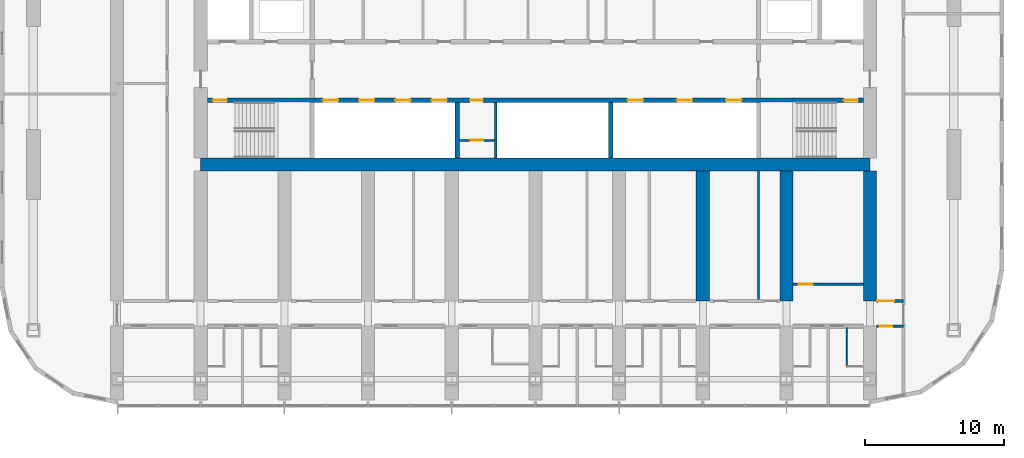
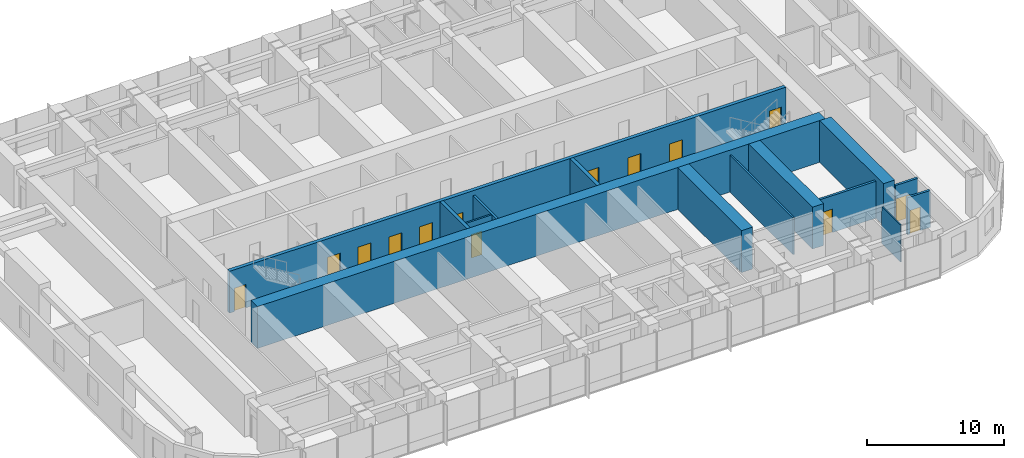
# One storey, part 11 of 21: 14 doors, 14 walls, 14 openings.
"""IFC4 building model written with IfcOpenShell, lengths in metres."""

from ifc_helpers import new_model, si_unit, direction, frame, frame_2d, origin, place, context, subcontext, project, spatial, polyline, rectangle, outline, extrude, material, layer, layer_set, type_object, element, fill, save


model = new_model("IFC4")

# Units and contexts
model_context = context("Model", 3, precision=1e-05, world=origin(), true_north=direction((0.0, 1.0)))
body_context = subcontext(model_context, "Body", "Model", "MODEL_VIEW")
ifc_project = project(units=[si_unit("LENGTHUNIT", "METRE"), si_unit("AREAUNIT", "SQUARE_METRE"), si_unit("VOLUMEUNIT", "CUBIC_METRE"), si_unit("PLANEANGLEUNIT", "RADIAN"), si_unit("MASSUNIT", "GRAM", prefix="KILO")], contexts=[model_context])

# Site, building, storey
site_placement = place(None, origin())
site = spatial("IfcSite", under=ifc_project, at=site_placement, CompositionType="ELEMENT")
building_placement = place(site_placement, origin())
building = spatial("IfcBuilding", under=site, at=building_placement, Name="Orbita Commons", CompositionType="ELEMENT")
storey_placement = place(building_placement, frame((0.0, 0.0, 110.64990234375)))
storey = spatial("IfcBuildingStorey", under=building, at=storey_placement, Name="L27", CompositionType="ELEMENT", Elevation=110.64990234375)

# Wall, openings, doors
ifc_material_1 = material(Name="Concrete C50/60", Category="concrete")
ifc_layer_1 = layer(ifc_material_1, 0.300048828125)
ifc_layer_set_1 = layer_set([ifc_layer_1], Name="Concrete C50/60")
wall_type_1 = type_object("IfcWallType", Name="Core inner wall 300 C50/60", PredefinedType="SHEAR", material=ifc_layer_set_1)
wall_1_placement = place(storey_placement, frame((18.47509765625, 30.39990234375, 0.0), z_axis=(0.0, 0.0, 1.0), x_axis=(1.0, 0.0, 0.0)))
wall_1 = element("IfcWall", 1, at=wall_1_placement, inside=storey, type_object=wall_type_1, Name="Lobby wall south L27", PredefinedType="SHEAR", context=body_context, shape_type="SweptSolid", body=[
    extrude(rectangle(XDim=47.0498046875, YDim=0.300048828125, at=frame_2d((23.52490234375, 0.0))), origin(), (0.0, 0.0, 1.0), 3.75),
])
opening_1_placement = place(wall_1_placement, frame((0.39990234375, 0.0, 0.0)))
opening_1 = element("IfcOpeningElement", 2, at=opening_1_placement, cuts=wall_1, Name="Opening D02", PredefinedType="OPENING", context=body_context, shape_type="SweptSolid", body=[
    extrude(rectangle(XDim=1.0, YDim=2.10009765625, at=frame_2d((0.5, 1.050048828125))), frame((0.0, 0.159912109375, 0.0), z_axis=(0.0, -1.0, 0.0), x_axis=(1.0, 0.0, 0.0)), (0.0, 0.0, 1.0), 0.320068359375),
])
opening_2_placement = place(wall_1_placement, frame((45.64990234375, 0.0, 0.0)))
opening_2 = element("IfcOpeningElement", 3, at=opening_2_placement, cuts=wall_1, Name="Opening D02", PredefinedType="OPENING", context=body_context, shape_type="SweptSolid", body=[
    extrude(rectangle(XDim=1.0, YDim=2.10009765625, at=frame_2d((0.5, 1.050048828125))), frame((0.0, 0.159912109375, 0.0), z_axis=(0.0, -1.0, 0.0), x_axis=(1.0, 0.0, 0.0)), (0.0, 0.0, 1.0), 0.320068359375),
])
opening_3_placement = place(wall_1_placement, frame((8.27490234375, 0.0, 0.0)))
opening_3 = element("IfcOpeningElement", 4, at=opening_3_placement, cuts=wall_1, Name="Opening LD02", PredefinedType="OPENING", context=body_context, shape_type="SweptSolid", body=[
    extrude(rectangle(XDim=1.10009765625, YDim=2.10009765625, at=frame_2d((0.550048828125, 1.050048828125))), frame((0.0, 0.159912109375, 0.0), z_axis=(0.0, -1.0, 0.0), x_axis=(1.0, 0.0, 0.0)), (0.0, 0.0, 1.0), 0.320068359375),
])
opening_4_placement = place(wall_1_placement, frame((10.875, 0.0, 0.0)))
opening_4 = element("IfcOpeningElement", 5, at=opening_4_placement, cuts=wall_1, Name="Opening LD02", PredefinedType="OPENING", context=body_context, shape_type="SweptSolid", body=[
    extrude(rectangle(XDim=1.10009765625, YDim=2.10009765625, at=frame_2d((0.550048828125, 1.050048828125))), frame((0.0, 0.159912109375, 0.0), z_axis=(0.0, -1.0, 0.0), x_axis=(1.0, 0.0, 0.0)), (0.0, 0.0, 1.0), 0.320068359375),
])
opening_5_placement = place(wall_1_placement, frame((13.47509765625, 0.0, 0.0)))
opening_5 = element("IfcOpeningElement", 6, at=opening_5_placement, cuts=wall_1, Name="Opening LD02", PredefinedType="OPENING", context=body_context, shape_type="SweptSolid", body=[
    extrude(rectangle(XDim=1.10009765625, YDim=2.10009765625, at=frame_2d((0.550048828125, 1.050048828125))), frame((0.0, 0.159912109375, 0.0), z_axis=(0.0, -1.0, 0.0), x_axis=(1.0, 0.0, 0.0)), (0.0, 0.0, 1.0), 0.320068359375),
])
opening_6_placement = place(wall_1_placement, frame((16.074951171875, 0.0, 0.0)))
opening_6 = element("IfcOpeningElement", 7, at=opening_6_placement, cuts=wall_1, Name="Opening LD02", PredefinedType="OPENING", context=body_context, shape_type="SweptSolid", body=[
    extrude(rectangle(XDim=1.10009765625, YDim=2.10009765625, at=frame_2d((0.550048828125, 1.050048828125))), frame((0.0, 0.159912109375, 0.0), z_axis=(0.0, -1.0, 0.0), x_axis=(1.0, 0.0, 0.0)), (0.0, 0.0, 1.0), 0.320068359375),
])
opening_7_placement = place(wall_1_placement, frame((18.85009765625, 0.0, 0.0)))
opening_7 = element("IfcOpeningElement", 8, at=opening_7_placement, cuts=wall_1, Name="Opening D05", PredefinedType="OPENING", context=body_context, shape_type="SweptSolid", body=[
    extrude(rectangle(XDim=0.89990234375, YDim=2.10009765625, at=frame_2d((0.449951171875, 1.050048828125))), frame((0.0, 0.159912109375, 0.0), z_axis=(0.0, -1.0, 0.0), x_axis=(1.0, 0.0, 0.0)), (0.0, 0.0, 1.0), 0.320068359375),
])
opening_8_placement = place(wall_1_placement, frame((30.1416015625, 0.0, 0.0)))
opening_8 = element("IfcOpeningElement", 9, at=opening_8_placement, cuts=wall_1, Name="Opening LD02", PredefinedType="OPENING", context=body_context, shape_type="SweptSolid", body=[
    extrude(rectangle(XDim=1.10009765625, YDim=2.10009765625, at=frame_2d((0.550048828125, 1.050048828125))), frame((0.0, 0.159912109375, 0.0), z_axis=(0.0, -1.0, 0.0), x_axis=(1.0, 0.0, 0.0)), (0.0, 0.0, 1.0), 0.320068359375),
])
opening_9_placement = place(wall_1_placement, frame((33.675048828125, 0.0, 0.0)))
opening_9 = element("IfcOpeningElement", 10, at=opening_9_placement, cuts=wall_1, Name="Opening LD02", PredefinedType="OPENING", context=body_context, shape_type="SweptSolid", body=[
    extrude(rectangle(XDim=1.10009765625, YDim=2.10009765625, at=frame_2d((0.550048828125, 1.050048828125))), frame((0.0, 0.159912109375, 0.0), z_axis=(0.0, -1.0, 0.0), x_axis=(1.0, 0.0, 0.0)), (0.0, 0.0, 1.0), 0.320068359375),
])
opening_10_placement = place(wall_1_placement, frame((37.208251953125, 0.0, 0.0)))
opening_10 = element("IfcOpeningElement", 11, at=opening_10_placement, cuts=wall_1, Name="Opening LD02", PredefinedType="OPENING", context=body_context, shape_type="SweptSolid", body=[
    extrude(rectangle(XDim=1.10009765625, YDim=2.10009765625, at=frame_2d((0.550048828125, 1.050048828125))), frame((0.0, 0.159912109375, 0.0), z_axis=(0.0, -1.0, 0.0), x_axis=(1.0, 0.0, 0.0)), (0.0, 0.0, 1.0), 0.320068359375),
])
ifc_material_2 = material(Name="Steel-faced fire door leaf", Category="steel")
door_type_1 = type_object("IfcDoorType", Name="Fire door 90 min 1000x2100", OperationType="SINGLE_SWING_LEFT", PredefinedType="DOOR", material=ifc_material_2)
door_1_placement = place(opening_1_placement, origin())
door_1 = element("IfcDoor", 12, at=door_1_placement, inside=storey, type_object=door_type_1, Name="Stair S1 door", OperationType="SINGLE_SWING_LEFT", OverallHeight=2.10009765625, OverallWidth=1.0, PredefinedType="DOOR", context=body_context, shape_type="SweptSolid", body=[
    extrude(rectangle(XDim=1.0, YDim=2.10009765625, at=frame_2d((0.5, 1.050048828125))), frame((0.0, 0.02490234375, 0.0), z_axis=(0.0, -1.0, 0.0), x_axis=(1.0, 0.0, 0.0)), (0.0, 0.0, 1.0), 0.050048828125),
])
fill(opening_1, door_1)
door_2_placement = place(opening_2_placement, origin())
door_2 = element("IfcDoor", 13, at=door_2_placement, inside=storey, type_object=door_type_1, Name="Stair S2 door", OperationType="SINGLE_SWING_LEFT", OverallHeight=2.10009765625, OverallWidth=1.0, PredefinedType="DOOR", context=body_context, shape_type="SweptSolid", body=[
    extrude(rectangle(XDim=1.0, YDim=2.10009765625, at=frame_2d((0.5, 1.050048828125))), frame((0.0, 0.02490234375, 0.0), z_axis=(0.0, -1.0, 0.0), x_axis=(1.0, 0.0, 0.0)), (0.0, 0.0, 1.0), 0.050048828125),
])
fill(opening_2, door_2)
ifc_material_3 = material(Name="Steel-faced fire door leaf", Category="steel")
door_type_2 = type_object("IfcDoorType", Name="Lift landing door 1100x2100", OperationType="DOUBLE_DOOR_SLIDING", PredefinedType="DOOR", material=ifc_material_3)
door_3_placement = place(opening_3_placement, origin())
door_3 = element("IfcDoor", 14, at=door_3_placement, inside=storey, type_object=door_type_2, Name="Lift P21 landing door", OperationType="DOUBLE_DOOR_SLIDING", OverallHeight=2.10009765625, OverallWidth=1.10009765625, PredefinedType="DOOR", context=body_context, shape_type="SweptSolid", body=[
    extrude(rectangle(XDim=1.10009765625, YDim=2.10009765625, at=frame_2d((0.550048828125, 1.050048828125))), frame((0.0, 0.02490234375, 0.0), z_axis=(0.0, -1.0, 0.0), x_axis=(1.0, 0.0, 0.0)), (0.0, 0.0, 1.0), 0.050048828125),
])
fill(opening_3, door_3)
door_4_placement = place(opening_4_placement, origin())
door_4 = element("IfcDoor", 15, at=door_4_placement, inside=storey, type_object=door_type_2, Name="Lift P22 landing door", OperationType="DOUBLE_DOOR_SLIDING", OverallHeight=2.10009765625, OverallWidth=1.10009765625, PredefinedType="DOOR", context=body_context, shape_type="SweptSolid", body=[
    extrude(rectangle(XDim=1.10009765625, YDim=2.10009765625, at=frame_2d((0.550048828125, 1.050048828125))), frame((0.0, 0.02490234375, 0.0), z_axis=(0.0, -1.0, 0.0), x_axis=(1.0, 0.0, 0.0)), (0.0, 0.0, 1.0), 0.050048828125),
])
fill(opening_4, door_4)
door_5_placement = place(opening_5_placement, origin())
door_5 = element("IfcDoor", 16, at=door_5_placement, inside=storey, type_object=door_type_2, Name="Lift P23 landing door", OperationType="DOUBLE_DOOR_SLIDING", OverallHeight=2.10009765625, OverallWidth=1.10009765625, PredefinedType="DOOR", context=body_context, shape_type="SweptSolid", body=[
    extrude(rectangle(XDim=1.10009765625, YDim=2.10009765625, at=frame_2d((0.550048828125, 1.050048828125))), frame((0.0, 0.02490234375, 0.0), z_axis=(0.0, -1.0, 0.0), x_axis=(1.0, 0.0, 0.0)), (0.0, 0.0, 1.0), 0.050048828125),
])
fill(opening_5, door_5)
door_6_placement = place(opening_6_placement, origin())
door_6 = element("IfcDoor", 17, at=door_6_placement, inside=storey, type_object=door_type_2, Name="Lift P24 landing door", OperationType="DOUBLE_DOOR_SLIDING", OverallHeight=2.10009765625, OverallWidth=1.10009765625, PredefinedType="DOOR", context=body_context, shape_type="SweptSolid", body=[
    extrude(rectangle(XDim=1.10009765625, YDim=2.10009765625, at=frame_2d((0.550048828125, 1.050048828125))), frame((0.0, 0.02490234375, 0.0), z_axis=(0.0, -1.0, 0.0), x_axis=(1.0, 0.0, 0.0)), (0.0, 0.0, 1.0), 0.050048828125),
])
fill(opening_6, door_6)
door_7_placement = place(opening_8_placement, origin())
door_7 = element("IfcDoor", 18, at=door_7_placement, inside=storey, type_object=door_type_2, Name="Lift SV1 landing door", OperationType="DOUBLE_DOOR_SLIDING", OverallHeight=2.10009765625, OverallWidth=1.10009765625, PredefinedType="DOOR", context=body_context, shape_type="SweptSolid", body=[
    extrude(rectangle(XDim=1.10009765625, YDim=2.10009765625, at=frame_2d((0.550048828125, 1.050048828125))), frame((0.0, 0.02490234375, 0.0), z_axis=(0.0, -1.0, 0.0), x_axis=(1.0, 0.0, 0.0)), (0.0, 0.0, 1.0), 0.050048828125),
])
fill(opening_8, door_7)
door_8_placement = place(opening_9_placement, origin())
door_8 = element("IfcDoor", 19, at=door_8_placement, inside=storey, type_object=door_type_2, Name="Lift SV2 landing door", OperationType="DOUBLE_DOOR_SLIDING", OverallHeight=2.10009765625, OverallWidth=1.10009765625, PredefinedType="DOOR", context=body_context, shape_type="SweptSolid", body=[
    extrude(rectangle(XDim=1.10009765625, YDim=2.10009765625, at=frame_2d((0.550048828125, 1.050048828125))), frame((0.0, 0.02490234375, 0.0), z_axis=(0.0, -1.0, 0.0), x_axis=(1.0, 0.0, 0.0)), (0.0, 0.0, 1.0), 0.050048828125),
])
fill(opening_9, door_8)
door_9_placement = place(opening_10_placement, origin())
door_9 = element("IfcDoor", 20, at=door_9_placement, inside=storey, type_object=door_type_2, Name="Lift SV3 landing door", OperationType="DOUBLE_DOOR_SLIDING", OverallHeight=2.10009765625, OverallWidth=1.10009765625, PredefinedType="DOOR", context=body_context, shape_type="SweptSolid", body=[
    extrude(rectangle(XDim=1.10009765625, YDim=2.10009765625, at=frame_2d((0.550048828125, 1.050048828125))), frame((0.0, 0.02490234375, 0.0), z_axis=(0.0, -1.0, 0.0), x_axis=(1.0, 0.0, 0.0)), (0.0, 0.0, 1.0), 0.050048828125),
])
fill(opening_10, door_9)
ifc_material_4 = material(Name="Steel-faced fire door leaf", Category="steel")
door_type_3 = type_object("IfcDoorType", Name="Service door 20 min 900x2100", OperationType="SINGLE_SWING_LEFT", PredefinedType="DOOR", material=ifc_material_4)
door_10_placement = place(opening_7_placement, origin())
door_10 = element("IfcDoor", 21, at=door_10_placement, inside=storey, type_object=door_type_3, Name="Mail room door", OperationType="SINGLE_SWING_LEFT", OverallHeight=2.10009765625, OverallWidth=0.89990234375, PredefinedType="DOOR", context=body_context, shape_type="SweptSolid", body=[
    extrude(rectangle(XDim=0.89990234375, YDim=2.10009765625, at=frame_2d((0.449951171875, 1.050048828125))), frame((0.0, 0.02490234375, 0.0), z_axis=(0.0, -1.0, 0.0), x_axis=(1.0, 0.0, 0.0)), (0.0, 0.0, 1.0), 0.050048828125),
])
fill(opening_7, door_10)

# Walls
for number, where, z_axis, x_axis, name in (
    (22, (36.39990234375, 26.27490234375, 0.0), (0.0, 0.0, 1.0), (0.0, 1.0, 0.0), "Hoistway division wall L27"),
    (23, (47.39990234375, 26.27490234375, 0.0), (0.0, 0.0, 1.0), (0.0, 1.0, 0.0), "Hoistway division wall L27"),
):
    element("IfcWall", number, at=place(storey_placement, frame(where, z_axis=z_axis, x_axis=x_axis)), inside=storey, type_object=wall_type_1, Name=name, PredefinedType="SHEAR", context=body_context, shape_type="SweptSolid", body=[
        extrude(rectangle(XDim=3.97509765625, YDim=0.300048828125, at=frame_2d((1.987548828125, 0.0))), origin(), (0.0, 0.0, 1.0), 3.75),
    ])

# Wall, opening, door
ifc_material_5 = material(Name="Concrete blockwork", Category="masonry")
ifc_layer_2 = layer(ifc_material_5, 0.14990234375)
ifc_layer_set_2 = layer_set([ifc_layer_2], Name="Concrete blockwork")
wall_type_2 = type_object("IfcWallType", Name="Core partition 150 blockwork", PredefinedType="SOLIDWALL", material=ifc_layer_set_2)
wall_2_placement = place(storey_placement, frame((36.550048828125, 27.52490234375, 0.0), z_axis=(0.0, 0.0, 1.0), x_axis=(1.0, 0.0, 0.0)))
wall_2 = element("IfcWall", 24, at=wall_2_placement, inside=storey, type_object=wall_type_2, Name="Core partition 150 blockwork L27", PredefinedType="SOLIDWALL", context=body_context, shape_type="SweptSolid", body=[
    extrude(rectangle(XDim=2.5, YDim=0.14990234375, at=frame_2d((1.25, 0.0))), origin(), (0.0, 0.0, 1.0), 3.300048828125),
])
opening_11_placement = place(wall_2_placement, frame((0.800048828125, 0.0, 0.0)))
opening_11 = element("IfcOpeningElement", 25, at=opening_11_placement, cuts=wall_2, Name="Opening D05", PredefinedType="OPENING", context=body_context, shape_type="SweptSolid", body=[
    extrude(rectangle(XDim=0.89990234375, YDim=2.10009765625, at=frame_2d((0.449951171875, 1.050048828125))), frame((0.0, 0.0849609375, 0.0), z_axis=(0.0, -1.0, 0.0), x_axis=(1.0, 0.0, 0.0)), (0.0, 0.0, 1.0), 0.169921875),
])
door_11_placement = place(opening_11_placement, origin())
door_11 = element("IfcDoor", 26, at=door_11_placement, inside=storey, type_object=door_type_3, Name="Cupboard door off Mail room", OperationType="SINGLE_SWING_LEFT", OverallHeight=2.10009765625, OverallWidth=0.89990234375, PredefinedType="DOOR", context=body_context, shape_type="SweptSolid", body=[
    extrude(rectangle(XDim=0.89990234375, YDim=2.10009765625, at=frame_2d((0.449951171875, 1.050048828125))), frame((0.0, 0.02490234375, 0.0), z_axis=(0.0, -1.0, 0.0), x_axis=(1.0, 0.0, 0.0)), (0.0, 0.0, 1.0), 0.050048828125),
])
fill(opening_11, door_11)

# Wall
ifc_material_6 = material(Name="Concrete C50/60", Category="concrete")
ifc_layer_3 = layer(ifc_material_6, 0.949951171875)
ifc_layer_set_3 = layer_set([ifc_layer_3], Name="Concrete C50/60")
wall_type_3 = type_object("IfcWallType", Name="Core wall 950 C50/60", PredefinedType="SHEAR", material=ifc_layer_set_3)
wall_3_placement = place(storey_placement, frame((18.0, 25.800048828125, 0.0), z_axis=(0.0, 0.0, 1.0), x_axis=(1.0, 0.0, 0.0)))
element("IfcWall", 27, at=wall_3_placement, inside=storey, type_object=wall_type_3, Name="Core spine wall south L27", PredefinedType="SHEAR", context=body_context, shape_type="SweptSolid", body=[
    extrude(rectangle(XDim=48.0, YDim=0.949951171875, at=frame_2d((24.0, 0.0))), origin(), (0.0, 0.0, 1.0), 3.75),
])

# Wall, opening, door
ifc_material_7 = material(Name="Concrete blockwork", Category="masonry")
ifc_layer_4 = layer(ifc_material_7, 0.199951171875)
ifc_layer_set_4 = layer_set([ifc_layer_4], Name="Concrete blockwork")
wall_type_4 = type_object("IfcWallType", Name="Corridor wall 200 blockwork", PredefinedType="SOLIDWALL", material=ifc_layer_set_4)
wall_4_placement = place(storey_placement, frame((66.47509765625, 14.199951171875, 0.0), z_axis=(0.0, 0.0, 1.0), x_axis=(1.0, 0.0, 0.0)))
wall_4 = element("IfcWall", 28, at=wall_4_placement, inside=storey, type_object=wall_type_4, Name="Corridor wall 200 blockwork L27", PredefinedType="SOLIDWALL", context=body_context, shape_type="SweptSolid", body=[
    extrude(rectangle(XDim=1.9248046875, YDim=0.199951171875, at=frame_2d((0.96240234375, 0.0))), origin(), (0.0, 0.0, 1.0), 3.300048828125),
])
opening_12_placement = place(wall_4_placement, frame((0.199951171875, 0.0, 0.0)))
opening_12 = element("IfcOpeningElement", 29, at=opening_12_placement, cuts=wall_4, Name="Opening D05", PredefinedType="OPENING", context=body_context, shape_type="SweptSolid", body=[
    extrude(rectangle(XDim=0.89990234375, YDim=2.10009765625, at=frame_2d((0.449951171875, 1.050048828125))), frame((0.0, 0.10986328125, 0.0), z_axis=(0.0, -1.0, 0.0), x_axis=(1.0, 0.0, 0.0)), (0.0, 0.0, 1.0), 0.219970703125),
])
door_12_placement = place(opening_12_placement, origin())
door_12 = element("IfcDoor", 30, at=door_12_placement, inside=storey, type_object=door_type_3, Name="Linen store L27-KES door", OperationType="SINGLE_SWING_LEFT", OverallHeight=2.10009765625, OverallWidth=0.89990234375, PredefinedType="DOOR", context=body_context, shape_type="SweptSolid", body=[
    extrude(rectangle(XDim=0.89990234375, YDim=2.10009765625, at=frame_2d((0.449951171875, 1.050048828125))), frame((0.0, 0.02490234375, 0.0), z_axis=(0.0, -1.0, 0.0), x_axis=(1.0, 0.0, 0.0)), (0.0, 0.0, 1.0), 0.050048828125),
])
fill(opening_12, door_12)

ifc_material_8 = material(Name="Hollow concrete block 200", Category="concrete")
ifc_layer_5 = layer(ifc_material_8, 0.199951171875)
ifc_layer_set_5 = layer_set([ifc_layer_5], Name="Hollow concrete block 200")
wall_type_5 = type_object("IfcWallType", Name="Corridor wall 200 hollow concrete block", PredefinedType="SOLIDWALL", material=ifc_layer_set_5)
wall_5_placement = place(storey_placement, frame((66.47509765625, 16.0, 0.0), z_axis=(0.0, 0.0, 1.0), x_axis=(1.0, 0.0, 0.0)))
wall_5 = element("IfcWall", 31, at=wall_5_placement, inside=storey, type_object=wall_type_5, Name="Corridor wall 200 hollow concrete block L27", PredefinedType="SOLIDWALL", context=body_context, shape_type="SweptSolid", body=[
    extrude(rectangle(XDim=1.9248046875, YDim=0.199951171875, at=frame_2d((0.96240234375, 0.0))), origin(), (0.0, 0.0, 1.0), 3.300048828125),
])
opening_13_placement = place(wall_5_placement, frame((0.050048828125, 0.0, 0.0)))
opening_13 = element("IfcOpeningElement", 32, at=opening_13_placement, cuts=wall_5, Name="Opening D12", PredefinedType="OPENING", context=body_context, shape_type="SweptSolid", body=[
    extrude(rectangle(XDim=1.199951171875, YDim=2.10009765625, at=frame_2d((0.60009765625, 1.050048828125))), frame((0.0, 0.10986328125, 0.0), z_axis=(0.0, -1.0, 0.0), x_axis=(1.0, 0.0, 0.0)), (0.0, 0.0, 1.0), 0.219970703125),
])
ifc_material_9 = material(Name="Steel-faced fire door leaf", Category="steel")
door_type_4 = type_object("IfcDoorType", Name="Double corridor door 20 min 1200x2100", OperationType="DOUBLE_DOOR_SINGLE_SWING", PredefinedType="DOOR", material=ifc_material_9)
door_13_placement = place(opening_13_placement, origin())
door_13 = element("IfcDoor", 33, at=door_13_placement, inside=storey, type_object=door_type_4, Name="Cross corridor doors", OperationType="DOUBLE_DOOR_SINGLE_SWING", OverallHeight=2.10009765625, OverallWidth=1.199951171875, PredefinedType="DOOR", context=body_context, shape_type="SweptSolid", body=[
    extrude(rectangle(XDim=1.199951171875, YDim=2.10009765625, at=frame_2d((0.60009765625, 1.050048828125))), frame((0.0, 0.02490234375, 0.0), z_axis=(0.0, -1.0, 0.0), x_axis=(1.0, 0.0, 0.0)), (0.0, 0.0, 1.0), 0.050048828125),
])
fill(opening_13, door_13)

wall_6_placement = place(storey_placement, frame((60.47509765625, 17.199951171875, 0.0), z_axis=(0.0, 0.0, 1.0), x_axis=(1.0, 0.0, 0.0)))
wall_6 = element("IfcWall", 34, at=wall_6_placement, inside=storey, type_object=wall_type_5, Name="Corridor wall 200 hollow concrete block L27", PredefinedType="SOLIDWALL", context=body_context, shape_type="SweptSolid", body=[
    extrude(rectangle(XDim=5.0498046875, YDim=0.199951171875, at=frame_2d((2.52490234375, 0.0))), origin(), (0.0, 0.0, 1.0), 3.300048828125),
])
opening_14_placement = place(wall_6_placement, frame((0.39990234375, 0.0, 0.0)))
opening_14 = element("IfcOpeningElement", 35, at=opening_14_placement, cuts=wall_6, Name="Opening D06", PredefinedType="OPENING", context=body_context, shape_type="SweptSolid", body=[
    extrude(rectangle(XDim=1.0, YDim=2.10009765625, at=frame_2d((0.5, 1.050048828125))), frame((0.0, 0.10986328125, 0.0), z_axis=(0.0, -1.0, 0.0), x_axis=(1.0, 0.0, 0.0)), (0.0, 0.0, 1.0), 0.219970703125),
])
ifc_material_10 = material(Name="Steel-faced fire door leaf", Category="steel")
door_type_5 = type_object("IfcDoorType", Name="Corridor door 20 min 1000x2100", OperationType="SINGLE_SWING_LEFT", PredefinedType="DOOR", material=ifc_material_10)
door_14_placement = place(opening_14_placement, origin())
door_14 = element("IfcDoor", 36, at=door_14_placement, inside=storey, type_object=door_type_5, Name="Cleaners store L27-BDS60 door", OperationType="SINGLE_SWING_LEFT", OverallHeight=2.10009765625, OverallWidth=1.0, PredefinedType="DOOR", context=body_context, shape_type="SweptSolid", body=[
    extrude(rectangle(XDim=1.0, YDim=2.10009765625, at=frame_2d((0.5, 1.050048828125))), frame((0.0, 0.02490234375, 0.0), z_axis=(0.0, -1.0, 0.0), x_axis=(1.0, 0.0, 0.0)), (0.0, 0.0, 1.0), 0.050048828125),
])
fill(opening_14, door_14)

# Walls
ifc_material_11 = material(Name="Concrete C50/60", Category="concrete")
ifc_layer_6 = layer(ifc_material_11, 0.949951171875)
ifc_layer_set_6 = layer_set([ifc_layer_6], Name="Concrete C50/60")
wall_type_6 = type_object("IfcWallType", Name="Cross wall 950 C50/60", PredefinedType="SHEAR", material=ifc_layer_set_6)
for number, where, z_axis, x_axis, name in (
    (37, (54.0, 16.0, 0.0), (0.0, 0.0, 1.0), (0.0, 1.0, 0.0), "Cross wall 10 south inner L27"),
    (38, (60.0, 16.0, 0.0), (0.0, 0.0, 1.0), (0.0, 1.0, 0.0), "Cross wall 11 south inner L27"),
    (39, (66.0, 16.0, 0.0), (0.0, 0.0, 1.0), (0.0, 1.0, 0.0), "Cross wall 12 south inner L27"),
):
    element("IfcWall", number, at=place(storey_placement, frame(where, z_axis=z_axis, x_axis=x_axis)), inside=storey, type_object=wall_type_6, Name=name, PredefinedType="SHEAR", context=body_context, shape_type="SweptSolid", body=[
        extrude(rectangle(XDim=9.324951171875, YDim=0.949951171875, at=frame_2d((4.66259765625, 0.0))), origin(), (0.0, 0.0, 1.0), 3.75),
    ])
ifc_material_12 = material(Name="Moisture-resistant plasterboard on steel studs", Category="steel")
ifc_layer_7 = layer(ifc_material_12, 0.10009765625)
ifc_layer_set_7 = layer_set([ifc_layer_7], Name="Moisture-resistant plasterboard on steel studs")
wall_type_7 = type_object("IfcWallType", Name="En-suite partition 100", PredefinedType="PARTITIONING", material=ifc_layer_set_7)
wall_7_placement = place(storey_placement, frame((64.324951171875, 11.35009765625, 0.0), z_axis=(0.0, 0.0, 1.0), x_axis=(0.0, 1.0, 0.0)))
element("IfcWall", 40, at=wall_7_placement, inside=storey, type_object=wall_type_7, Name="En-suite partition 100 L27", PredefinedType="PARTITIONING", context=body_context, shape_type="SweptSolid", body=[
    extrude(outline(polyline([(0.0, 0.0), (2.75, 0.0), (2.75, 2.900146484375), (2.701904296875, 2.900146484375), (2.699951171875, 3.300048828125), (0.0, 3.300048828125), (0.0, 0.0)])), frame((0.0, 0.050048828125, 0.0), z_axis=(0.0, -1.0, 0.0), x_axis=(1.0, 0.0, 0.0)), (0.0, 0.0, 1.0), 0.10009765625),
])
ifc_material_13 = material(Name="Gypsum plasterboard on steel studs", Category="steel")
ifc_layer_8 = layer(ifc_material_13, 0.14990234375)
ifc_layer_set_8 = layer_set([ifc_layer_8], Name="Gypsum plasterboard on steel studs")
wall_type_8 = type_object("IfcWallType", Name="Partition 150 plasterboard", PredefinedType="PARTITIONING", material=ifc_layer_set_8)
wall_8_placement = place(storey_placement, frame((58.0048828125, 16.10009765625, 0.0), z_axis=(0.0, 0.0, 1.0), x_axis=(0.0, 1.0, 0.0)))
element("IfcWall", 41, at=wall_8_placement, inside=storey, type_object=wall_type_8, Name="Partition 150 plasterboard L27", PredefinedType="PARTITIONING", context=body_context, shape_type="SweptSolid", body=[
    extrude(rectangle(XDim=9.224853515625, YDim=0.14990234375, at=frame_2d((4.6123046875, 0.0))), origin(), (0.0, 0.0, 1.0), 3.300048828125),
])
ifc_material_14 = material(Name="Concrete blockwork, fully filled", Category="masonry")
ifc_layer_9 = layer(ifc_material_14, 0.199951171875)
ifc_layer_set_9 = layer_set([ifc_layer_9], Name="Concrete blockwork, fully filled")
wall_type_9 = type_object("IfcWallType", Name="Shaft partition 200 blockwork", PredefinedType="SOLIDWALL", material=ifc_layer_set_9)
wall_9_placement = place(storey_placement, frame((39.14990234375, 26.27490234375, 0.0), z_axis=(0.0, 0.0, 1.0), x_axis=(0.0, 1.0, 0.0)))
element("IfcWall", 42, at=wall_9_placement, inside=storey, type_object=wall_type_9, Name="Shaft partition 200 blockwork L27", PredefinedType="SOLIDWALL", context=body_context, shape_type="SweptSolid", body=[
    extrude(rectangle(XDim=3.97509765625, YDim=0.199951171875, at=frame_2d((1.987548828125, 0.0))), origin(), (0.0, 0.0, 1.0), 3.300048828125),
])

save(model, "model.ifc")
